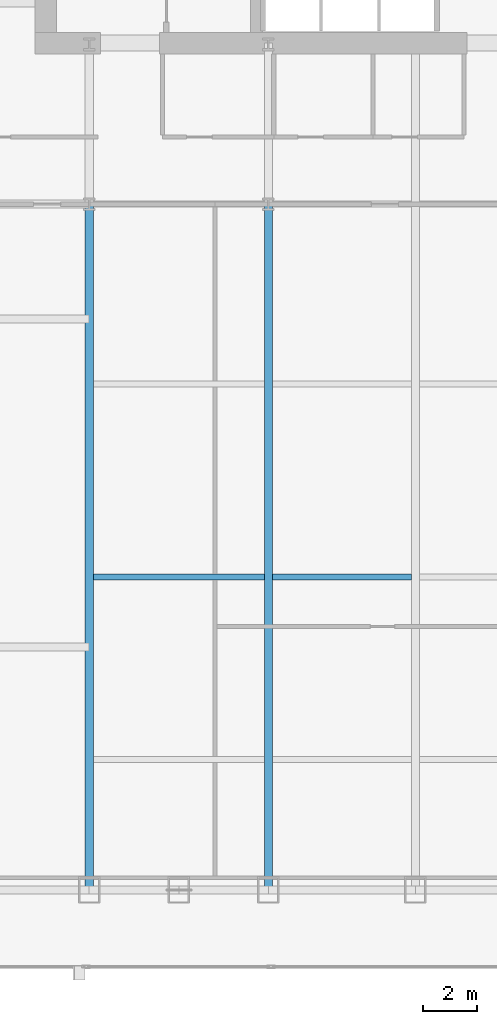
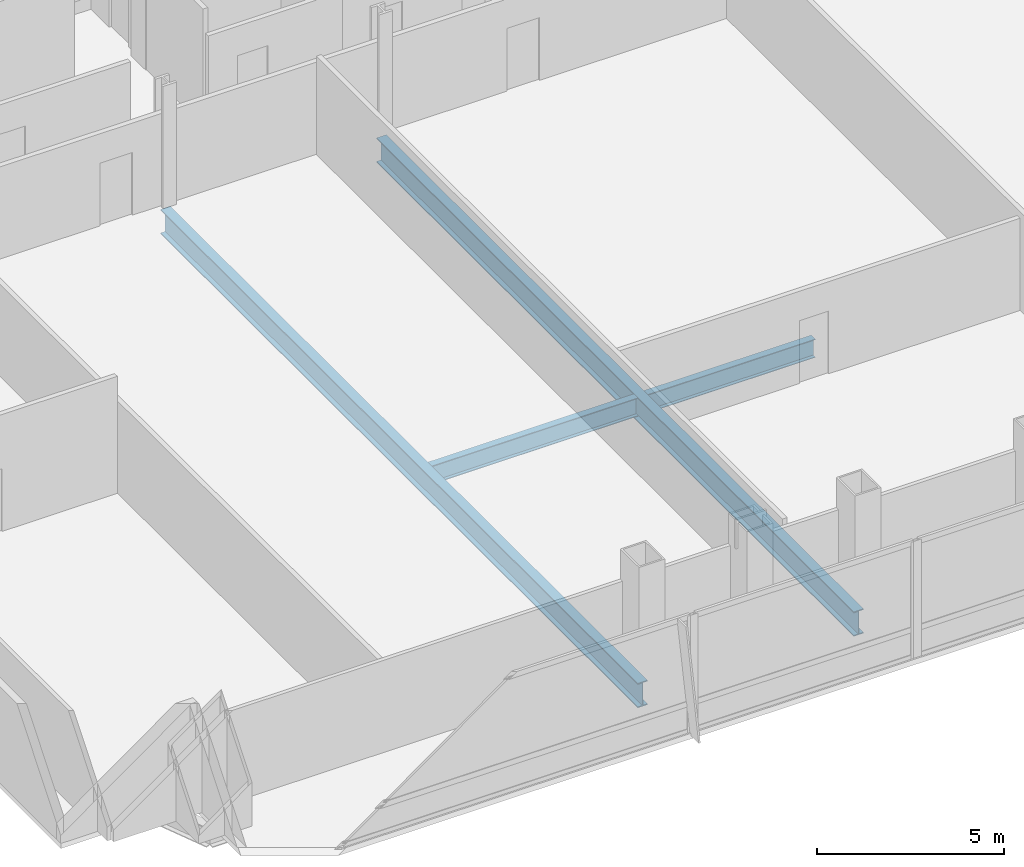
# One storey, part 9 of 37: 4 beams.
"""IFC4 building model written with IfcOpenShell, lengths in metres."""

from ifc_helpers import new_model, si_unit, direction, frame, origin, origin_2d, place, context, subcontext, project, spatial, i_section, extrude, material, material_profile, profile_set, type_object, element, save


model = new_model("IFC4")

# Units and contexts
model_context = context("Model", 3, precision=1e-05, world=origin(), true_north=direction((0.0, 1.0)))
body_context = subcontext(model_context, "Body", "Model", "MODEL_VIEW")
ifc_project = project(units=[si_unit("LENGTHUNIT", "METRE"), si_unit("AREAUNIT", "SQUARE_METRE"), si_unit("VOLUMEUNIT", "CUBIC_METRE"), si_unit("PLANEANGLEUNIT", "RADIAN"), si_unit("MASSUNIT", "GRAM", prefix="KILO")], contexts=[model_context])

# Site, building, storey
site_placement = place(None, origin())
site = spatial("IfcSite", under=ifc_project, at=site_placement, CompositionType="ELEMENT")
building_placement = place(site_placement, origin())
building = spatial("IfcBuilding", under=site, at=building_placement, Name="Khoronbel Lancet Exchange", CompositionType="ELEMENT")
storey_placement = place(building_placement, frame((0.0, 0.0, 45.800048828125)))
storey = spatial("IfcBuildingStorey", under=building, at=storey_placement, Name="L10", CompositionType="ELEMENT", Elevation=45.800048828125)

# Beams
ifc_material = material(Name="Steel S355", Category="steel")
ifc_material_profile_1 = material_profile(ifc_material, i_section(OverallWidth=0.300048828125, OverallDepth=0.800048828125, WebThickness=0.017578125, FlangeThickness=0.032958984375, at=origin_2d()), Name="HEB 800")
ifc_profile_set_1 = profile_set([ifc_material_profile_1], Name="Steel S355")
beam_type_1 = type_object("IfcBeamType", Name="BM-BG2", PredefinedType="BEAM", material=ifc_profile_set_1)
for number, where, z_axis, x_axis, name in (
    (1, (18.22509765625, 10.14990234375, -0.580078125), (0.0, 1.0, 0.0), (-1.0, 0.0, 0.0), "Level L10 south primary girder GS1"),
    (2, (24.89990234375, 10.14990234375, -0.580078125), (0.0, 1.0, 0.0), (-1.0, 0.0, 0.0), "Level L10 south primary girder GS2"),
):
    element("IfcBeam", number, at=place(storey_placement, frame(where, z_axis=z_axis, x_axis=x_axis)), inside=storey, type_object=beam_type_1, Name=name, PredefinedType="BEAM", context=body_context, shape_type="SweptSolid", body=[
        extrude(i_section(OverallWidth=0.300048828125, OverallDepth=0.800048828125, WebThickness=0.017578125, FlangeThickness=0.032958984375, at=origin_2d()), origin(), (0.0, 0.0, 1.0), 25.550048828125),
    ])
ifc_material_profile_2 = material_profile(ifc_material, i_section(OverallWidth=0.219970703125, OverallDepth=0.60009765625, WebThickness=0.011962890625, FlangeThickness=0.01904296875, at=origin_2d()), Name="IPE 600")
ifc_profile_set_2 = profile_set([ifc_material_profile_2], Name="Steel S355")
beam_type_2 = type_object("IfcBeamType", Name="BM-BJ1", PredefinedType="JOIST", material=ifc_profile_set_2)
beam_1_placement = place(storey_placement, frame((18.375, 21.800048828125, -0.47998046875), z_axis=(1.0, 0.0, 0.0), x_axis=(0.0, 1.0, 0.0)))
element("IfcBeam", 3, at=beam_1_placement, inside=storey, type_object=beam_type_2, Name="Level L10 secondary composite joist J06", PredefinedType="JOIST", context=body_context, shape_type="SweptSolid", body=[
    extrude(i_section(OverallWidth=0.219970703125, OverallDepth=0.60009765625, WebThickness=0.011962890625, FlangeThickness=0.01904296875, at=origin_2d()), origin(), (0.0, 0.0, 1.0), 6.375),
])
beam_2_placement = place(storey_placement, frame((25.050048828125, 21.800048828125, -0.47998046875), z_axis=(1.0, 0.0, 0.0), x_axis=(0.0, 1.0, 0.0)))
element("IfcBeam", 4, at=beam_2_placement, inside=storey, type_object=beam_type_2, Name="Level L10 secondary composite joist J07", PredefinedType="JOIST", context=body_context, shape_type="SweptSolid", body=[
    extrude(i_section(OverallWidth=0.219970703125, OverallDepth=0.60009765625, WebThickness=0.011962890625, FlangeThickness=0.01904296875, at=origin_2d()), origin(), (0.0, 0.0, 1.0), 5.175048828125),
])

save(model, "model.ifc")
